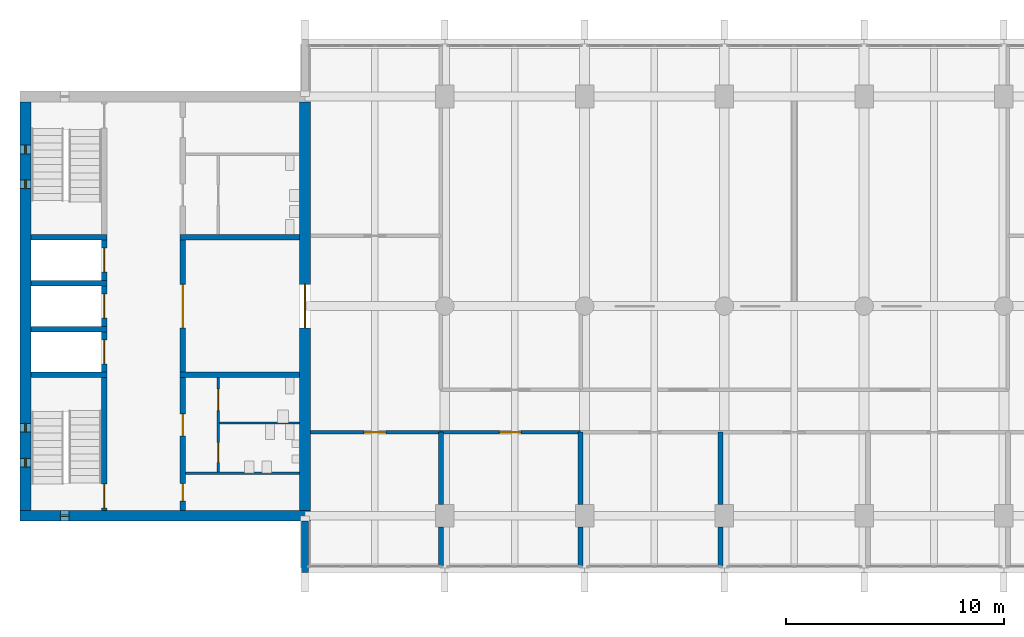
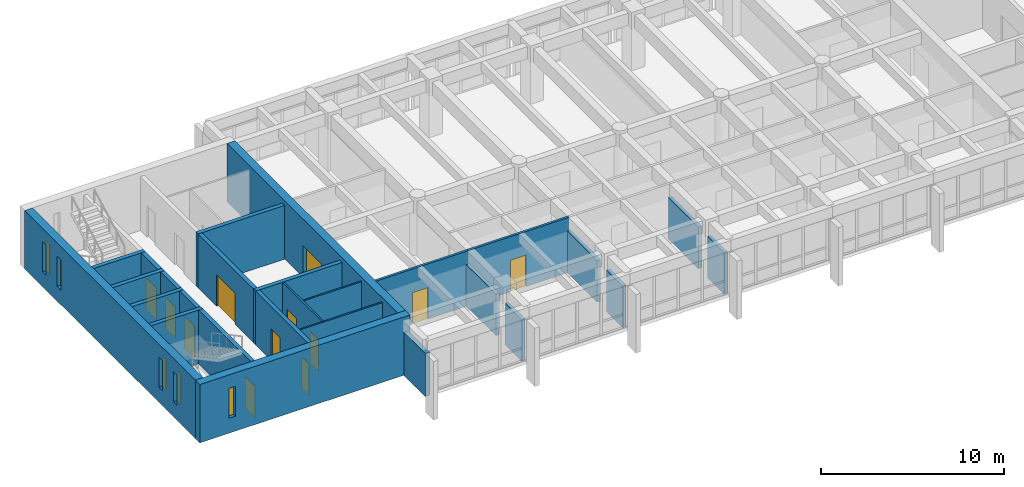
# One storey, part 9 of 15: 27 walls, 12 doors, 5 windows, 17 openings.
"""IFC4 building model written with IfcOpenShell, lengths in metres."""

from ifc_helpers import new_model, si_unit, direction, frame, frame_2d, origin, place, context, subcontext, project, spatial, rectangle, extrude, material, layer, layer_set, type_object, element, fill, save


model = new_model("IFC4")

# Units and contexts
model_context = context("Model", 3, precision=1e-05, world=origin(), true_north=direction((0.0, 1.0)))
body_context = subcontext(model_context, "Body", "Model", "MODEL_VIEW")
ifc_project = project(units=[si_unit("LENGTHUNIT", "METRE"), si_unit("AREAUNIT", "SQUARE_METRE"), si_unit("VOLUMEUNIT", "CUBIC_METRE"), si_unit("PLANEANGLEUNIT", "RADIAN"), si_unit("MASSUNIT", "GRAM", prefix="KILO")], contexts=[model_context])

# Site, building, storey
site_placement = place(None, origin())
site = spatial("IfcSite", under=ifc_project, at=site_placement, CompositionType="ELEMENT")
building_placement = place(site_placement, origin())
building = spatial("IfcBuilding", under=site, at=building_placement, Name="Fogon Plaza Fire Station and Headquarters Tower", CompositionType="ELEMENT")
storey_placement = place(building_placement, frame((0.0, 0.0, 56.10009765625)))
storey = spatial("IfcBuildingStorey", under=building, at=storey_placement, Name="L14", CompositionType="ELEMENT", Elevation=56.10009765625)

# Walls
ifc_material_1 = material(Name="Concrete C40", Category="concrete")
ifc_layer_1 = layer(ifc_material_1, 0.25)
ifc_layer_set_1 = layer_set([ifc_layer_1], Name="Concrete C40")
wall_type_1 = type_object("IfcWallType", Name="Core Wall RC 250", PredefinedType="SOLIDWALL", material=ifc_layer_set_1)
for number, where, z_axis, x_axis, name in (
    (1, (13.050048828125, 40.050048828125, 0.0), (0.0, 0.0, 1.0), (1.0, 0.0, 0.0), "Core A shaft wall"),
    (2, (13.050048828125, 42.14990234375, 0.0), (0.0, 0.0, 1.0), (1.0, 0.0, 0.0), "Core A shaft wall"),
    (3, (13.050048828125, 44.25, 0.0), (0.0, 0.0, 1.0), (1.0, 0.0, 0.0), "Core A shaft wall"),
    (4, (13.050048828125, 46.35009765625, 0.0), (0.0, 0.0, 1.0), (1.0, 0.0, 0.0), "Core A shaft wall"),
):
    element("IfcWall", number, at=place(storey_placement, frame(where, z_axis=z_axis, x_axis=x_axis)), inside=storey, type_object=wall_type_1, Name=name, PredefinedType="SOLIDWALL", context=body_context, shape_type="SweptSolid", body=[
        extrude(rectangle(XDim=3.474853515625, YDim=0.25, at=frame_2d((1.7373046875, 0.0))), origin(), (0.0, 0.0, 1.0), 3.599853515625),
    ])

# Wall, opening, door
wall_1_placement = place(storey_placement, frame((16.39990234375, 33.85009765625, 0.0), z_axis=(0.0, 0.0, 1.0), x_axis=(0.0, 1.0, 0.0)))
wall_1 = element("IfcWall", 5, at=wall_1_placement, inside=storey, type_object=wall_type_1, Name="Core A shaft wall", PredefinedType="SOLIDWALL", context=body_context, shape_type="SweptSolid", body=[
    extrude(rectangle(XDim=6.074951171875, YDim=0.25, at=frame_2d((3.03759765625, 0.0))), origin(), (0.0, 0.0, 1.0), 3.599853515625),
])
opening_1_placement = place(wall_1_placement, frame((0.10009765625, 0.0, 0.0)))
opening_1 = element("IfcOpeningElement", 6, at=opening_1_placement, cuts=wall_1, Name="Opening L14-D01", PredefinedType="OPENING", context=body_context, shape_type="SweptSolid", body=[
    extrude(rectangle(XDim=1.10009765625, YDim=2.10009765625, at=frame_2d((0.550048828125, 1.050048828125))), frame((0.0, 0.135009765625, 0.0), z_axis=(0.0, -1.0, 0.0), x_axis=(1.0, 0.0, 0.0)), (0.0, 0.0, 1.0), 0.27001953125),
])
ifc_material_2 = material(Name="Steel Fire Door Leaf", Category="steel")
door_type_1 = type_object("IfcDoorType", Name="Stair Door Single 1100x2100", OperationType="SINGLE_SWING_LEFT", PredefinedType="DOOR", material=ifc_material_2)
door_1_placement = place(opening_1_placement, origin())
door_1 = element("IfcDoor", 7, at=door_1_placement, inside=storey, type_object=door_type_1, Name="Stair door ST1", OperationType="SINGLE_SWING_LEFT", OverallHeight=2.10009765625, OverallWidth=1.10009765625, PredefinedType="DOOR", context=body_context, shape_type="SweptSolid", body=[
    extrude(rectangle(XDim=1.10009765625, YDim=2.10009765625, at=frame_2d((0.550048828125, 1.050048828125))), frame((0.0, 0.02490234375, 0.0), z_axis=(0.0, -1.0, 0.0), x_axis=(1.0, 0.0, 0.0)), (0.0, 0.0, 1.0), 0.050048828125),
])
fill(opening_1, door_1)

wall_2_placement = place(storey_placement, frame((16.39990234375, 40.175048828125, 0.0), z_axis=(0.0, 0.0, 1.0), x_axis=(0.0, 1.0, 0.0)))
wall_2 = element("IfcWall", 8, at=wall_2_placement, inside=storey, type_object=wall_type_1, Name="Core A shaft wall", PredefinedType="SOLIDWALL", context=body_context, shape_type="SweptSolid", body=[
    extrude(rectangle(XDim=1.849853515625, YDim=0.25, at=frame_2d((0.9248046875, 0.0))), origin(), (0.0, 0.0, 1.0), 3.599853515625),
])
opening_2_placement = place(wall_2_placement, frame((0.375, 0.0, 0.0)))
opening_2 = element("IfcOpeningElement", 9, at=opening_2_placement, cuts=wall_2, Name="Opening L14-D03", PredefinedType="OPENING", context=body_context, shape_type="SweptSolid", body=[
    extrude(rectangle(XDim=1.10009765625, YDim=2.10009765625, at=frame_2d((0.550048828125, 1.050048828125))), frame((0.0, 0.135009765625, 0.0), z_axis=(0.0, -1.0, 0.0), x_axis=(1.0, 0.0, 0.0)), (0.0, 0.0, 1.0), 0.27001953125),
])
ifc_material_3 = material(Name="Stainless Steel", Category="steel")
door_type_2 = type_object("IfcDoorType", Name="Lift Landing Door 1100x2100", OperationType="SLIDING_TO_LEFT", PredefinedType="DOOR", material=ifc_material_3)
door_2_placement = place(opening_2_placement, origin())
door_2 = element("IfcDoor", 10, at=door_2_placement, inside=storey, type_object=door_type_2, Name="Lift LP1 landing door", OperationType="SLIDING_TO_LEFT", OverallHeight=2.10009765625, OverallWidth=1.10009765625, PredefinedType="DOOR", context=body_context, shape_type="SweptSolid", body=[
    extrude(rectangle(XDim=1.10009765625, YDim=2.10009765625, at=frame_2d((0.550048828125, 1.050048828125))), frame((0.0, 0.02490234375, 0.0), z_axis=(0.0, -1.0, 0.0), x_axis=(1.0, 0.0, 0.0)), (0.0, 0.0, 1.0), 0.050048828125),
])
fill(opening_2, door_2)

wall_3_placement = place(storey_placement, frame((16.39990234375, 42.27490234375, 0.0), z_axis=(0.0, 0.0, 1.0), x_axis=(0.0, 1.0, 0.0)))
wall_3 = element("IfcWall", 11, at=wall_3_placement, inside=storey, type_object=wall_type_1, Name="Core A shaft wall", PredefinedType="SOLIDWALL", context=body_context, shape_type="SweptSolid", body=[
    extrude(rectangle(XDim=1.85009765625, YDim=0.25, at=frame_2d((0.925048828125, 0.0))), origin(), (0.0, 0.0, 1.0), 3.599853515625),
])
opening_3_placement = place(wall_3_placement, frame((0.375, 0.0, 0.0)))
opening_3 = element("IfcOpeningElement", 12, at=opening_3_placement, cuts=wall_3, Name="Opening L14-D04", PredefinedType="OPENING", context=body_context, shape_type="SweptSolid", body=[
    extrude(rectangle(XDim=1.10009765625, YDim=2.10009765625, at=frame_2d((0.550048828125, 1.050048828125))), frame((0.0, 0.135009765625, 0.0), z_axis=(0.0, -1.0, 0.0), x_axis=(1.0, 0.0, 0.0)), (0.0, 0.0, 1.0), 0.27001953125),
])
door_3_placement = place(opening_3_placement, origin())
door_3 = element("IfcDoor", 13, at=door_3_placement, inside=storey, type_object=door_type_2, Name="Lift LP2 landing door", OperationType="SLIDING_TO_LEFT", OverallHeight=2.10009765625, OverallWidth=1.10009765625, PredefinedType="DOOR", context=body_context, shape_type="SweptSolid", body=[
    extrude(rectangle(XDim=1.10009765625, YDim=2.10009765625, at=frame_2d((0.550048828125, 1.050048828125))), frame((0.0, 0.02490234375, 0.0), z_axis=(0.0, -1.0, 0.0), x_axis=(1.0, 0.0, 0.0)), (0.0, 0.0, 1.0), 0.050048828125),
])
fill(opening_3, door_3)

wall_4_placement = place(storey_placement, frame((16.39990234375, 44.375, 0.0), z_axis=(0.0, 0.0, 1.0), x_axis=(0.0, 1.0, 0.0)))
wall_4 = element("IfcWall", 14, at=wall_4_placement, inside=storey, type_object=wall_type_1, Name="Core A shaft wall", PredefinedType="SOLIDWALL", context=body_context, shape_type="SweptSolid", body=[
    extrude(rectangle(XDim=1.85009765625, YDim=0.25, at=frame_2d((0.925048828125, 0.0))), origin(), (0.0, 0.0, 1.0), 3.599853515625),
])
opening_4_placement = place(wall_4_placement, frame((0.375, 0.0, 0.0)))
opening_4 = element("IfcOpeningElement", 15, at=opening_4_placement, cuts=wall_4, Name="Opening L14-D05", PredefinedType="OPENING", context=body_context, shape_type="SweptSolid", body=[
    extrude(rectangle(XDim=1.10009765625, YDim=2.10009765625, at=frame_2d((0.550048828125, 1.050048828125))), frame((0.0, 0.135009765625, 0.0), z_axis=(0.0, -1.0, 0.0), x_axis=(1.0, 0.0, 0.0)), (0.0, 0.0, 1.0), 0.27001953125),
])
door_4_placement = place(opening_4_placement, origin())
door_4 = element("IfcDoor", 16, at=door_4_placement, inside=storey, type_object=door_type_2, Name="Lift FL1 landing door", OperationType="SLIDING_TO_LEFT", OverallHeight=2.10009765625, OverallWidth=1.10009765625, PredefinedType="DOOR", context=body_context, shape_type="SweptSolid", body=[
    extrude(rectangle(XDim=1.10009765625, YDim=2.10009765625, at=frame_2d((0.550048828125, 1.050048828125))), frame((0.0, 0.02490234375, 0.0), z_axis=(0.0, -1.0, 0.0), x_axis=(1.0, 0.0, 0.0)), (0.0, 0.0, 1.0), 0.050048828125),
])
fill(opening_4, door_4)

# Wall, openings, doors
wall_5_placement = place(storey_placement, frame((20.0, 33.85009765625, 0.0), z_axis=(0.0, 0.0, 1.0), x_axis=(0.0, 1.0, 0.0)))
wall_5 = element("IfcWall", 17, at=wall_5_placement, inside=storey, type_object=wall_type_1, Name="Core A shaft wall", PredefinedType="SOLIDWALL", context=body_context, shape_type="SweptSolid", body=[
    extrude(rectangle(XDim=6.074951171875, YDim=0.25, at=frame_2d((3.03759765625, 0.0))), origin(), (0.0, 0.0, 1.0), 3.599853515625),
])
opening_5_placement = place(wall_5_placement, frame((0.425048828125, 0.0, 0.0)))
opening_5 = element("IfcOpeningElement", 18, at=opening_5_placement, cuts=wall_5, Name="Opening L14-D08", PredefinedType="OPENING", context=body_context, shape_type="SweptSolid", body=[
    extrude(rectangle(XDim=0.800048828125, YDim=2.10009765625, at=frame_2d((0.39990234375, 1.050048828125))), frame((0.0, 0.135009765625, 0.0), z_axis=(0.0, -1.0, 0.0), x_axis=(1.0, 0.0, 0.0)), (0.0, 0.0, 1.0), 0.27001953125),
])
opening_6_placement = place(wall_5_placement, frame((3.41259765625, 0.0, 0.0)))
opening_6 = element("IfcOpeningElement", 19, at=opening_6_placement, cuts=wall_5, Name="Opening L14-D09", PredefinedType="OPENING", context=body_context, shape_type="SweptSolid", body=[
    extrude(rectangle(XDim=1.0, YDim=2.10009765625, at=frame_2d((0.5, 1.050048828125))), frame((0.0, 0.135009765625, 0.0), z_axis=(0.0, -1.0, 0.0), x_axis=(1.0, 0.0, 0.0)), (0.0, 0.0, 1.0), 0.27001953125),
])
ifc_material_4 = material(Name="Timber Door Leaf", Category="wood")
door_type_3 = type_object("IfcDoorType", Name="Cleaner Store Single 800x2100", OperationType="SINGLE_SWING_LEFT", PredefinedType="DOOR", material=ifc_material_4)
door_5_placement = place(opening_5_placement, frame((0.800048828125, 0.0, 0.0), z_axis=(0.0, 0.0, 1.0), x_axis=(-1.0, 0.0, 0.0)))
door_5 = element("IfcDoor", 20, at=door_5_placement, inside=storey, type_object=door_type_3, Name="Cleaner's store A door", OperationType="SINGLE_SWING_RIGHT", OverallHeight=2.10009765625, OverallWidth=0.800048828125, PredefinedType="DOOR", context=body_context, shape_type="SweptSolid", body=[
    extrude(rectangle(XDim=0.800048828125, YDim=2.10009765625, at=frame_2d((0.39990234375, 1.050048828125))), frame((0.0, 0.02490234375, 0.0), z_axis=(0.0, -1.0, 0.0), x_axis=(1.0, 0.0, 0.0)), (0.0, 0.0, 1.0), 0.050048828125),
])
fill(opening_5, door_5)
ifc_material_5 = material(Name="Timber fire door", Category="wood")
door_type_4 = type_object("IfcDoorType", Name="WC Lobby Single 1000x2100", OperationType="SINGLE_SWING_LEFT", PredefinedType="DOOR", material=ifc_material_5)
door_6_placement = place(opening_6_placement, frame((1.0, 0.0, 0.0), z_axis=(0.0, 0.0, 1.0), x_axis=(-1.0, 0.0, 0.0)))
door_6 = element("IfcDoor", 21, at=door_6_placement, inside=storey, type_object=door_type_4, Name="Men's WC lobby A door", OperationType="SINGLE_SWING_LEFT", OverallHeight=2.10009765625, OverallWidth=1.0, PredefinedType="DOOR", context=body_context, shape_type="SweptSolid", body=[
    extrude(rectangle(XDim=1.0, YDim=2.10009765625, at=frame_2d((0.5, 1.050048828125))), frame((0.0, 0.02490234375, 0.0), z_axis=(0.0, -1.0, 0.0), x_axis=(1.0, 0.0, 0.0)), (0.0, 0.0, 1.0), 0.050048828125),
])
fill(opening_6, door_6)

# Wall, opening, door
wall_6_placement = place(storey_placement, frame((20.0, 40.175048828125, 0.0), z_axis=(0.0, 0.0, 1.0), x_axis=(0.0, 1.0, 0.0)))
wall_6 = element("IfcWall", 22, at=wall_6_placement, inside=storey, type_object=wall_type_1, Name="Core A shaft wall", PredefinedType="SOLIDWALL", context=body_context, shape_type="SweptSolid", body=[
    extrude(rectangle(XDim=6.050048828125, YDim=0.25, at=frame_2d((3.02490234375, 0.0))), origin(), (0.0, 0.0, 1.0), 3.599853515625),
])
opening_7_placement = place(wall_6_placement, frame((2.02490234375, 0.0, 0.0)))
opening_7 = element("IfcOpeningElement", 23, at=opening_7_placement, cuts=wall_6, Name="Opening L14-D06", PredefinedType="OPENING", context=body_context, shape_type="SweptSolid", body=[
    extrude(rectangle(XDim=2.0, YDim=2.10009765625, at=frame_2d((1.0, 1.050048828125))), frame((0.0, 0.135009765625, 0.0), z_axis=(0.0, -1.0, 0.0), x_axis=(1.0, 0.0, 0.0)), (0.0, 0.0, 1.0), 0.27001953125),
])
ifc_material_6 = material(Name="Steel Fire Door Leaf", Category="steel")
door_type_5 = type_object("IfcDoorType", Name="Vestibule Double 2000x2100", OperationType="DOUBLE_DOOR_SINGLE_SWING", PredefinedType="DOOR", material=ifc_material_6)
door_7_placement = place(opening_7_placement, frame((2.0, 0.0, 0.0), z_axis=(0.0, 0.0, 1.0), x_axis=(-1.0, 0.0, 0.0)))
door_7 = element("IfcDoor", 24, at=door_7_placement, inside=storey, type_object=door_type_5, Name="Vestibule A door", OperationType="DOUBLE_DOOR_SINGLE_SWING", OverallHeight=2.10009765625, OverallWidth=2.0, PredefinedType="DOOR", context=body_context, shape_type="SweptSolid", body=[
    extrude(rectangle(XDim=2.0, YDim=2.10009765625, at=frame_2d((1.0, 1.050048828125))), frame((0.0, 0.02490234375, 0.0), z_axis=(0.0, -1.0, 0.0), x_axis=(1.0, 0.0, 0.0)), (0.0, 0.0, 1.0), 0.050048828125),
])
fill(opening_7, door_7)

# Walls
for number, where, z_axis, x_axis, name in (
    (25, (19.875, 40.050048828125, 0.0), (0.0, 0.0, 1.0), (1.0, 0.0, 0.0), "Core A shaft wall"),
    (26, (19.875, 46.35009765625, 0.0), (0.0, 0.0, 1.0), (1.0, 0.0, 0.0), "Core A shaft wall"),
):
    element("IfcWall", number, at=place(storey_placement, frame(where, z_axis=z_axis, x_axis=x_axis)), inside=storey, type_object=wall_type_1, Name=name, PredefinedType="SOLIDWALL", context=body_context, shape_type="SweptSolid", body=[
        extrude(rectangle(XDim=5.47509765625, YDim=0.25, at=frame_2d((2.737548828125, 0.0))), origin(), (0.0, 0.0, 1.0), 3.599853515625),
    ])
ifc_material_7 = material(Name="Concrete C40", Category="concrete")
ifc_layer_2 = layer(ifc_material_7, 0.300048828125)
ifc_layer_set_2 = layer_set([ifc_layer_2], Name="Concrete C40")
wall_type_2 = type_object("IfcWallType", Name="Fair-faced RC Return Panel 300", PredefinedType="SOLIDWALL", material=ifc_layer_set_2)
wall_7_placement = place(storey_placement, frame((25.60009765625, 31.0, 0.0), z_axis=(0.0, 0.0, 1.0), x_axis=(0.0, 1.0, 0.0)))
element("IfcWall", 27, at=wall_7_placement, inside=storey, type_object=wall_type_2, Name="Bar end return WS L14", PredefinedType="SOLIDWALL", context=body_context, shape_type="SweptSolid", body=[
    extrude(rectangle(XDim=2.35009765625, YDim=0.300048828125, at=frame_2d((1.175048828125, 0.0))), origin(), (0.0, 0.0, 1.0), 2.8798828125),
])
ifc_material_8 = material(Name="Blockwork", Category="masonry")
ifc_layer_3 = layer(ifc_material_8, 0.10009765625)
ifc_layer_set_3 = layer_set([ifc_layer_3], Name="Blockwork")
wall_type_3 = type_object("IfcWallType", Name="Partition Blockwork 100", PredefinedType="PARTITIONING", material=ifc_layer_set_3)
wall_8_placement = place(storey_placement, frame((20.125, 35.550048828125, 0.0), z_axis=(0.0, 0.0, 1.0), x_axis=(1.0, 0.0, 0.0)))
element("IfcWall", 28, at=wall_8_placement, inside=storey, type_object=wall_type_3, Name="Cleaner's store partition", PredefinedType="PARTITIONING", context=body_context, shape_type="SweptSolid", body=[
    extrude(rectangle(XDim=5.22509765625, YDim=0.10009765625, at=frame_2d((2.612548828125, 0.0))), origin(), (0.0, 0.0, 1.0), 3.599853515625),
])

# Wall, openings, doors
wall_9_placement = place(storey_placement, frame((21.625, 35.60009765625, 0.0), z_axis=(0.0, 0.0, 1.0), x_axis=(0.0, 1.0, 0.0)))
wall_9 = element("IfcWall", 29, at=wall_9_placement, inside=storey, type_object=wall_type_3, Name="WC block partition", PredefinedType="PARTITIONING", context=body_context, shape_type="SweptSolid", body=[
    extrude(rectangle(XDim=4.324951171875, YDim=0.10009765625, at=frame_2d((2.16259765625, 0.0))), origin(), (0.0, 0.0, 1.0), 3.599853515625),
])
opening_8_placement = place(wall_9_placement, frame((0.449951171875, 0.0, 0.0)))
opening_8 = element("IfcOpeningElement", 30, at=opening_8_placement, cuts=wall_9, Name="Opening L14-D10", PredefinedType="OPENING", context=body_context, shape_type="SweptSolid", body=[
    extrude(rectangle(XDim=0.89990234375, YDim=2.10009765625, at=frame_2d((0.449951171875, 1.050048828125))), frame((0.0, 0.06005859375, 0.0), z_axis=(0.0, -1.0, 0.0), x_axis=(1.0, 0.0, 0.0)), (0.0, 0.0, 1.0), 0.1201171875),
])
opening_9_placement = place(wall_9_placement, frame((2.8125, 0.0, 0.0)))
opening_9 = element("IfcOpeningElement", 31, at=opening_9_placement, cuts=wall_9, Name="Opening L14-D11", PredefinedType="OPENING", context=body_context, shape_type="SweptSolid", body=[
    extrude(rectangle(XDim=1.0, YDim=2.10009765625, at=frame_2d((0.5, 1.050048828125))), frame((0.0, 0.06005859375, 0.0), z_axis=(0.0, -1.0, 0.0), x_axis=(1.0, 0.0, 0.0)), (0.0, 0.0, 1.0), 0.1201171875),
])
ifc_material_9 = material(Name="Timber Door Leaf", Category="wood")
door_type_6 = type_object("IfcDoorType", Name="Accessible WC Single 1000x2100", OperationType="SINGLE_SWING_LEFT", PredefinedType="DOOR", material=ifc_material_9)
door_8_placement = place(opening_9_placement, frame((1.0, 0.0, 0.0), z_axis=(0.0, 0.0, 1.0), x_axis=(-1.0, 0.0, 0.0)))
door_8 = element("IfcDoor", 32, at=door_8_placement, inside=storey, type_object=door_type_6, Name="Accessible WC A door", OperationType="SINGLE_SWING_LEFT", OverallHeight=2.10009765625, OverallWidth=1.0, PredefinedType="DOOR", context=body_context, shape_type="SweptSolid", body=[
    extrude(rectangle(XDim=1.0, YDim=2.10009765625, at=frame_2d((0.5, 1.050048828125))), frame((0.0, 0.02490234375, 0.0), z_axis=(0.0, -1.0, 0.0), x_axis=(1.0, 0.0, 0.0)), (0.0, 0.0, 1.0), 0.050048828125),
])
fill(opening_9, door_8)
ifc_material_10 = material(Name="Timber Door Leaf", Category="wood")
door_type_7 = type_object("IfcDoorType", Name="WC Single 900x2100", OperationType="SINGLE_SWING_LEFT", PredefinedType="DOOR", material=ifc_material_10)
door_9_placement = place(opening_8_placement, frame((0.89990234375, 0.0, 0.0), z_axis=(0.0, 0.0, 1.0), x_axis=(-1.0, 0.0, 0.0)))
door_9 = element("IfcDoor", 33, at=door_9_placement, inside=storey, type_object=door_type_7, Name="Men's WC A door", OperationType="SINGLE_SWING_RIGHT", OverallHeight=2.10009765625, OverallWidth=0.89990234375, PredefinedType="DOOR", context=body_context, shape_type="SweptSolid", body=[
    extrude(rectangle(XDim=0.89990234375, YDim=2.10009765625, at=frame_2d((0.449951171875, 1.050048828125))), frame((0.0, 0.02490234375, 0.0), z_axis=(0.0, -1.0, 0.0), x_axis=(1.0, 0.0, 0.0)), (0.0, 0.0, 1.0), 0.050048828125),
])
fill(opening_8, door_9)

# Wall
wall_10_placement = place(storey_placement, frame((21.675048828125, 37.85009765625, 0.0), z_axis=(0.0, 0.0, 1.0), x_axis=(1.0, 0.0, 0.0)))
element("IfcWall", 34, at=wall_10_placement, inside=storey, type_object=wall_type_3, Name="WC block partition", PredefinedType="PARTITIONING", context=body_context, shape_type="SweptSolid", body=[
    extrude(rectangle(XDim=3.675048828125, YDim=0.10009765625, at=frame_2d((1.83740234375, 0.0))), origin(), (0.0, 0.0, 1.0), 3.599853515625),
])

# Wall, opening, window
ifc_material_11 = material(Name="Concrete C40", Category="concrete")
ifc_layer_4 = layer(ifc_material_11, 0.5)
ifc_layer_set_4 = layer_set([ifc_layer_4], Name="Concrete C40")
wall_type_4 = type_object("IfcWallType", Name="Shear wall 500 SW50", PredefinedType="SHEAR", material=ifc_layer_set_4)
wall_11_placement = place(storey_placement, frame((12.550048828125, 33.60009765625, 0.0), z_axis=(0.0, 0.0, 1.0), x_axis=(1.0, 0.0, 0.0)))
wall_11 = element("IfcWall", 35, at=wall_11_placement, inside=storey, type_object=wall_type_4, Name="wall-coreA-S-L14", PredefinedType="SHEAR", context=body_context, shape_type="SweptSolid", body=[
    extrude(rectangle(XDim=13.300048828125, YDim=0.5, at=frame_2d((6.64990234375, 0.0))), origin(), (0.0, 0.0, 1.0), 3.89990234375),
])
opening_10_placement = place(wall_11_placement, frame((1.85009765625, 0.0, 1.0)))
opening_10 = element("IfcOpeningElement", 36, at=opening_10_placement, cuts=wall_11, Name="Opening WS1", PredefinedType="OPENING", context=body_context, shape_type="SweptSolid", body=[
    extrude(rectangle(XDim=0.39990234375, YDim=2.0, at=frame_2d((0.199951171875, 1.0))), frame((0.0, 0.260009765625, 0.0), z_axis=(0.0, -1.0, 0.0), x_axis=(1.0, 0.0, 0.0)), (0.0, 0.0, 1.0), 0.52001953125),
])
ifc_material_12 = material(Name="Aluminium framed double glazing", Category="aluminium")
window_type = type_object("IfcWindowType", Name="Slit Window WS1 400x2000", PartitioningType="SINGLE_PANEL", PredefinedType="WINDOW", material=ifc_material_12)
window_1_placement = place(opening_10_placement, origin())
window_1 = element("IfcWindow", 37, at=window_1_placement, inside=storey, type_object=window_type, Name="Slit window A5 L14", OverallHeight=2.0, OverallWidth=0.39990234375, PartitioningType="SINGLE_PANEL", PredefinedType="WINDOW", context=body_context, shape_type="SweptSolid", body=[
    extrude(rectangle(XDim=0.39990234375, YDim=2.0, at=frame_2d((0.199951171875, 1.0))), frame((0.0, 0.030029296875, 0.0), z_axis=(0.0, -1.0, 0.0), x_axis=(1.0, 0.0, 0.0)), (0.0, 0.0, 1.0), 0.06005859375),
])
fill(opening_10, window_1)

# Wall, opening, door
wall_12_placement = place(storey_placement, frame((25.60009765625, 33.85009765625, 0.0), z_axis=(0.0, 0.0, 1.0), x_axis=(0.0, 1.0, 0.0)))
wall_12 = element("IfcWall", 38, at=wall_12_placement, inside=storey, type_object=wall_type_4, Name="wall-coreA-E-L14", PredefinedType="SHEAR", context=body_context, shape_type="SweptSolid", body=[
    extrude(rectangle(XDim=18.699951171875, YDim=0.5, at=frame_2d((9.35009765625, 0.0))), origin(), (0.0, 0.0, 1.0), 3.89990234375),
])
opening_11_placement = place(wall_12_placement, frame((8.35009765625, 0.0, 0.0)))
opening_11 = element("IfcOpeningElement", 39, at=opening_11_placement, cuts=wall_12, Name="Opening L14-D07", PredefinedType="OPENING", context=body_context, shape_type="SweptSolid", body=[
    extrude(rectangle(XDim=2.0, YDim=2.10009765625, at=frame_2d((1.0, 1.050048828125))), frame((0.0, 0.260009765625, 0.0), z_axis=(0.0, -1.0, 0.0), x_axis=(1.0, 0.0, 0.0)), (0.0, 0.0, 1.0), 0.52001953125),
])
door_10_placement = place(opening_11_placement, origin())
door_10 = element("IfcDoor", 40, at=door_10_placement, inside=storey, type_object=door_type_5, Name="Vestibule A door to the office zone", OperationType="DOUBLE_DOOR_SINGLE_SWING", OverallHeight=2.10009765625, OverallWidth=2.0, PredefinedType="DOOR", context=body_context, shape_type="SweptSolid", body=[
    extrude(rectangle(XDim=2.0, YDim=2.10009765625, at=frame_2d((1.0, 1.050048828125))), frame((0.0, 0.02490234375, 0.0), z_axis=(0.0, -1.0, 0.0), x_axis=(1.0, 0.0, 0.0)), (0.0, 0.0, 1.0), 0.050048828125),
])
fill(opening_11, door_10)

# Wall, openings, windows
wall_13_placement = place(storey_placement, frame((12.800048828125, 33.85009765625, 0.0), z_axis=(0.0, 0.0, 1.0), x_axis=(0.0, 1.0, 0.0)))
wall_13 = element("IfcWall", 41, at=wall_13_placement, inside=storey, type_object=wall_type_4, Name="wall-coreA-W-L14", PredefinedType="SHEAR", context=body_context, shape_type="SweptSolid", body=[
    extrude(rectangle(XDim=18.699951171875, YDim=0.5, at=frame_2d((9.35009765625, 0.0))), origin(), (0.0, 0.0, 1.0), 3.89990234375),
])
opening_12_placement = place(wall_13_placement, frame((1.97509765625, 0.0, 1.0)))
opening_12 = element("IfcOpeningElement", 42, at=opening_12_placement, cuts=wall_13, Name="Opening WS1", PredefinedType="OPENING", context=body_context, shape_type="SweptSolid", body=[
    extrude(rectangle(XDim=0.39990234375, YDim=2.0, at=frame_2d((0.199951171875, 1.0))), frame((0.0, 0.260009765625, 0.0), z_axis=(0.0, -1.0, 0.0), x_axis=(1.0, 0.0, 0.0)), (0.0, 0.0, 1.0), 0.52001953125),
])
opening_13_placement = place(wall_13_placement, frame((3.574951171875, 0.0, 1.0)))
opening_13 = element("IfcOpeningElement", 43, at=opening_13_placement, cuts=wall_13, Name="Opening WS1", PredefinedType="OPENING", context=body_context, shape_type="SweptSolid", body=[
    extrude(rectangle(XDim=0.39990234375, YDim=2.0, at=frame_2d((0.199951171875, 1.0))), frame((0.0, 0.260009765625, 0.0), z_axis=(0.0, -1.0, 0.0), x_axis=(1.0, 0.0, 0.0)), (0.0, 0.0, 1.0), 0.52001953125),
])
opening_14_placement = place(wall_13_placement, frame((14.72509765625, 0.0, 1.0)))
opening_14 = element("IfcOpeningElement", 44, at=opening_14_placement, cuts=wall_13, Name="Opening WS1", PredefinedType="OPENING", context=body_context, shape_type="SweptSolid", body=[
    extrude(rectangle(XDim=0.39990234375, YDim=2.0, at=frame_2d((0.199951171875, 1.0))), frame((0.0, 0.260009765625, 0.0), z_axis=(0.0, -1.0, 0.0), x_axis=(1.0, 0.0, 0.0)), (0.0, 0.0, 1.0), 0.52001953125),
])
opening_15_placement = place(wall_13_placement, frame((16.324951171875, 0.0, 1.0)))
opening_15 = element("IfcOpeningElement", 45, at=opening_15_placement, cuts=wall_13, Name="Opening WS1", PredefinedType="OPENING", context=body_context, shape_type="SweptSolid", body=[
    extrude(rectangle(XDim=0.39990234375, YDim=2.0, at=frame_2d((0.199951171875, 1.0))), frame((0.0, 0.260009765625, 0.0), z_axis=(0.0, -1.0, 0.0), x_axis=(1.0, 0.0, 0.0)), (0.0, 0.0, 1.0), 0.52001953125),
])
window_2_placement = place(opening_12_placement, origin())
window_2 = element("IfcWindow", 46, at=window_2_placement, inside=storey, type_object=window_type, Name="Slit window A1 L14", OverallHeight=2.0, OverallWidth=0.39990234375, PartitioningType="SINGLE_PANEL", PredefinedType="WINDOW", context=body_context, shape_type="SweptSolid", body=[
    extrude(rectangle(XDim=0.39990234375, YDim=2.0, at=frame_2d((0.199951171875, 1.0))), frame((0.0, 0.030029296875, 0.0), z_axis=(0.0, -1.0, 0.0), x_axis=(1.0, 0.0, 0.0)), (0.0, 0.0, 1.0), 0.06005859375),
])
fill(opening_12, window_2)
window_3_placement = place(opening_13_placement, origin())
window_3 = element("IfcWindow", 47, at=window_3_placement, inside=storey, type_object=window_type, Name="Slit window A2 L14", OverallHeight=2.0, OverallWidth=0.39990234375, PartitioningType="SINGLE_PANEL", PredefinedType="WINDOW", context=body_context, shape_type="SweptSolid", body=[
    extrude(rectangle(XDim=0.39990234375, YDim=2.0, at=frame_2d((0.199951171875, 1.0))), frame((0.0, 0.030029296875, 0.0), z_axis=(0.0, -1.0, 0.0), x_axis=(1.0, 0.0, 0.0)), (0.0, 0.0, 1.0), 0.06005859375),
])
fill(opening_13, window_3)
window_4_placement = place(opening_14_placement, origin())
window_4 = element("IfcWindow", 48, at=window_4_placement, inside=storey, type_object=window_type, Name="Slit window A3 L14", OverallHeight=2.0, OverallWidth=0.39990234375, PartitioningType="SINGLE_PANEL", PredefinedType="WINDOW", context=body_context, shape_type="SweptSolid", body=[
    extrude(rectangle(XDim=0.39990234375, YDim=2.0, at=frame_2d((0.199951171875, 1.0))), frame((0.0, 0.030029296875, 0.0), z_axis=(0.0, -1.0, 0.0), x_axis=(1.0, 0.0, 0.0)), (0.0, 0.0, 1.0), 0.06005859375),
])
fill(opening_14, window_4)
window_5_placement = place(opening_15_placement, origin())
window_5 = element("IfcWindow", 49, at=window_5_placement, inside=storey, type_object=window_type, Name="Slit window A4 L14", OverallHeight=2.0, OverallWidth=0.39990234375, PartitioningType="SINGLE_PANEL", PredefinedType="WINDOW", context=body_context, shape_type="SweptSolid", body=[
    extrude(rectangle(XDim=0.39990234375, YDim=2.0, at=frame_2d((0.199951171875, 1.0))), frame((0.0, 0.030029296875, 0.0), z_axis=(0.0, -1.0, 0.0), x_axis=(1.0, 0.0, 0.0)), (0.0, 0.0, 1.0), 0.06005859375),
])
fill(opening_15, window_5)

# Walls
ifc_material_13 = material(Name="Timber veneer panel on twin steel stud", Category="steel")
ifc_layer_5 = layer(ifc_material_13, 0.22509765625)
ifc_layer_set_5 = layer_set([ifc_layer_5], Name="Timber veneer panel on twin steel stud")
wall_type_5 = type_object("IfcWallType", Name="Tower boardroom partition 225", PredefinedType="PARTITIONING", material=ifc_layer_set_5)
wall_14_placement = place(storey_placement, frame((31.820068359375, 31.300048828125, 0.0), z_axis=(0.0, 0.0, 1.0), x_axis=(0.0, 1.0, 0.0)))
element("IfcWall", 50, at=wall_14_placement, inside=storey, type_object=wall_type_5, Name="part-L14-07", PredefinedType="PARTITIONING", context=body_context, shape_type="SweptSolid", body=[
    extrude(rectangle(XDim=1.794921875, YDim=0.22509765625, at=frame_2d((0.8974609375, 0.0))), origin(), (0.0, 0.0, 1.0), 2.77978515625),
])
wall_15_placement = place(storey_placement, frame((31.820068359375, 34.10498046875, 0.0), z_axis=(0.0, 0.0, 1.0), x_axis=(0.0, 1.0, 0.0)))
element("IfcWall", 51, at=wall_15_placement, inside=storey, type_object=wall_type_5, Name="part-L14-08", PredefinedType="PARTITIONING", context=body_context, shape_type="SweptSolid", body=[
    extrude(rectangle(XDim=3.320068359375, YDim=0.22509765625, at=frame_2d((1.66015625, 0.0))), origin(), (0.0, 0.0, 1.0), 2.77978515625),
])
wall_16_placement = place(storey_placement, frame((38.219970703125, 31.300048828125, 0.0), z_axis=(0.0, 0.0, 1.0), x_axis=(0.0, 1.0, 0.0)))
element("IfcWall", 52, at=wall_16_placement, inside=storey, type_object=wall_type_5, Name="part-L14-09", PredefinedType="PARTITIONING", context=body_context, shape_type="SweptSolid", body=[
    extrude(rectangle(XDim=1.794921875, YDim=0.22509765625, at=frame_2d((0.8974609375, 0.0))), origin(), (0.0, 0.0, 1.0), 2.77978515625),
])
wall_17_placement = place(storey_placement, frame((38.219970703125, 34.10498046875, 0.0), z_axis=(0.0, 0.0, 1.0), x_axis=(0.0, 1.0, 0.0)))
element("IfcWall", 53, at=wall_17_placement, inside=storey, type_object=wall_type_5, Name="part-L14-10", PredefinedType="PARTITIONING", context=body_context, shape_type="SweptSolid", body=[
    extrude(rectangle(XDim=3.320068359375, YDim=0.22509765625, at=frame_2d((1.66015625, 0.0))), origin(), (0.0, 0.0, 1.0), 2.77978515625),
])
wall_18_placement = place(storey_placement, frame((44.6201171875, 31.300048828125, 0.0), z_axis=(0.0, 0.0, 1.0), x_axis=(0.0, 1.0, 0.0)))
element("IfcWall", 54, at=wall_18_placement, inside=storey, type_object=wall_type_5, Name="part-L14-11", PredefinedType="PARTITIONING", context=body_context, shape_type="SweptSolid", body=[
    extrude(rectangle(XDim=1.794921875, YDim=0.22509765625, at=frame_2d((0.8974609375, 0.0))), origin(), (0.0, 0.0, 1.0), 2.77978515625),
])
wall_19_placement = place(storey_placement, frame((44.6201171875, 34.10498046875, 0.0), z_axis=(0.0, 0.0, 1.0), x_axis=(0.0, 1.0, 0.0)))
element("IfcWall", 55, at=wall_19_placement, inside=storey, type_object=wall_type_5, Name="part-L14-12", PredefinedType="PARTITIONING", context=body_context, shape_type="SweptSolid", body=[
    extrude(rectangle(XDim=3.320068359375, YDim=0.22509765625, at=frame_2d((1.66015625, 0.0))), origin(), (0.0, 0.0, 1.0), 2.77978515625),
])

# Wall, opening, door
ifc_material_14 = material(Name="Gypsum board on steel stud", Category="steel")
ifc_layer_6 = layer(ifc_material_14, 0.14990234375)
ifc_layer_set_6 = layer_set([ifc_layer_6], Name="Gypsum board on steel stud")
wall_type_6 = type_object("IfcWallType", Name="Tower corridor partition 150 EI 60", PredefinedType="PARTITIONING", material=ifc_layer_set_6)
wall_20_placement = place(storey_placement, frame((25.85009765625, 37.425048828125, 0.0), z_axis=(0.0, 0.0, 1.0), x_axis=(1.0, 0.0, 0.0)))
wall_20 = element("IfcWall", 56, at=wall_20_placement, inside=storey, type_object=wall_type_6, Name="part-L14-01", PredefinedType="PARTITIONING", context=body_context, shape_type="SweptSolid", body=[
    extrude(rectangle(XDim=5.969970703125, YDim=0.14990234375, at=frame_2d((2.98486328125, 0.0))), origin(), (0.0, 0.0, 1.0), 3.679931640625),
])
opening_16_placement = place(wall_20_placement, frame((2.449951171875, 0.0, 0.0)))
opening_16 = element("IfcOpeningElement", 57, at=opening_16_placement, cuts=wall_20, Name="Opening L14-D29", PredefinedType="OPENING", context=body_context, shape_type="SweptSolid", body=[
    extrude(rectangle(XDim=1.0, YDim=2.10009765625, at=frame_2d((0.5, 1.050048828125))), frame((0.0, 0.0849609375, 0.0), z_axis=(0.0, -1.0, 0.0), x_axis=(1.0, 0.0, 0.0)), (0.0, 0.0, 1.0), 0.169921875),
])
ifc_material_15 = material(Name="Timber fire door", Category="wood")
door_type_8 = type_object("IfcDoorType", Name="Tower fire door single 1000 EI 20", OperationType="SINGLE_SWING_LEFT", PredefinedType="DOOR", material=ifc_material_15)
door_11_placement = place(opening_16_placement, frame((1.0, 0.0, 0.0), z_axis=(0.0, 0.0, 1.0), x_axis=(-1.0, 0.0, 0.0)))
door_11 = element("IfcDoor", 58, at=door_11_placement, inside=storey, type_object=door_type_8, Name="door-L14-01", OperationType="SINGLE_SWING_RIGHT", OverallHeight=2.10009765625, OverallWidth=1.0, PredefinedType="DOOR", context=body_context, shape_type="SweptSolid", body=[
    extrude(rectangle(XDim=1.0, YDim=2.10009765625, at=frame_2d((0.5, 1.050048828125))), frame((0.0, 0.02490234375, 0.0), z_axis=(0.0, -1.0, 0.0), x_axis=(1.0, 0.0, 0.0)), (0.0, 0.0, 1.0), 0.050048828125),
])
fill(opening_16, door_11)

wall_21_placement = place(storey_placement, frame((31.820068359375, 37.425048828125, 0.0), z_axis=(0.0, 0.0, 1.0), x_axis=(1.0, 0.0, 0.0)))
wall_21 = element("IfcWall", 59, at=wall_21_placement, inside=storey, type_object=wall_type_6, Name="part-L14-02", PredefinedType="PARTITIONING", context=body_context, shape_type="SweptSolid", body=[
    extrude(rectangle(XDim=6.39990234375, YDim=0.14990234375, at=frame_2d((3.199951171875, 0.0))), origin(), (0.0, 0.0, 1.0), 3.679931640625),
])
opening_17_placement = place(wall_21_placement, frame((2.679931640625, 0.0, 0.0)))
opening_17 = element("IfcOpeningElement", 60, at=opening_17_placement, cuts=wall_21, Name="Opening L14-D30", PredefinedType="OPENING", context=body_context, shape_type="SweptSolid", body=[
    extrude(rectangle(XDim=1.0, YDim=2.10009765625, at=frame_2d((0.5, 1.050048828125))), frame((0.0, 0.0849609375, 0.0), z_axis=(0.0, -1.0, 0.0), x_axis=(1.0, 0.0, 0.0)), (0.0, 0.0, 1.0), 0.169921875),
])
door_12_placement = place(opening_17_placement, frame((1.0, 0.0, 0.0), z_axis=(0.0, 0.0, 1.0), x_axis=(-1.0, 0.0, 0.0)))
door_12 = element("IfcDoor", 61, at=door_12_placement, inside=storey, type_object=door_type_8, Name="door-L14-02", OperationType="SINGLE_SWING_LEFT", OverallHeight=2.10009765625, OverallWidth=1.0, PredefinedType="DOOR", context=body_context, shape_type="SweptSolid", body=[
    extrude(rectangle(XDim=1.0, YDim=2.10009765625, at=frame_2d((0.5, 1.050048828125))), frame((0.0, 0.02490234375, 0.0), z_axis=(0.0, -1.0, 0.0), x_axis=(1.0, 0.0, 0.0)), (0.0, 0.0, 1.0), 0.050048828125),
])
fill(opening_17, door_12)

save(model, "model.ifc")
